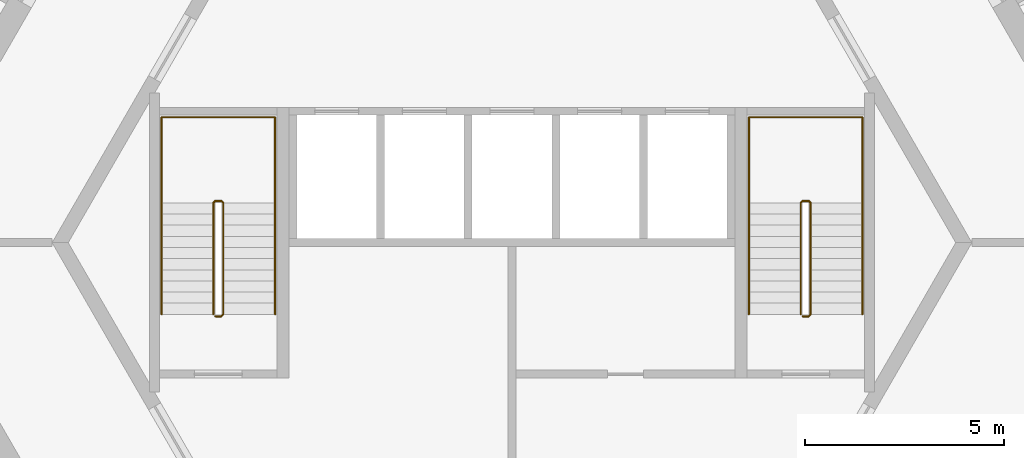
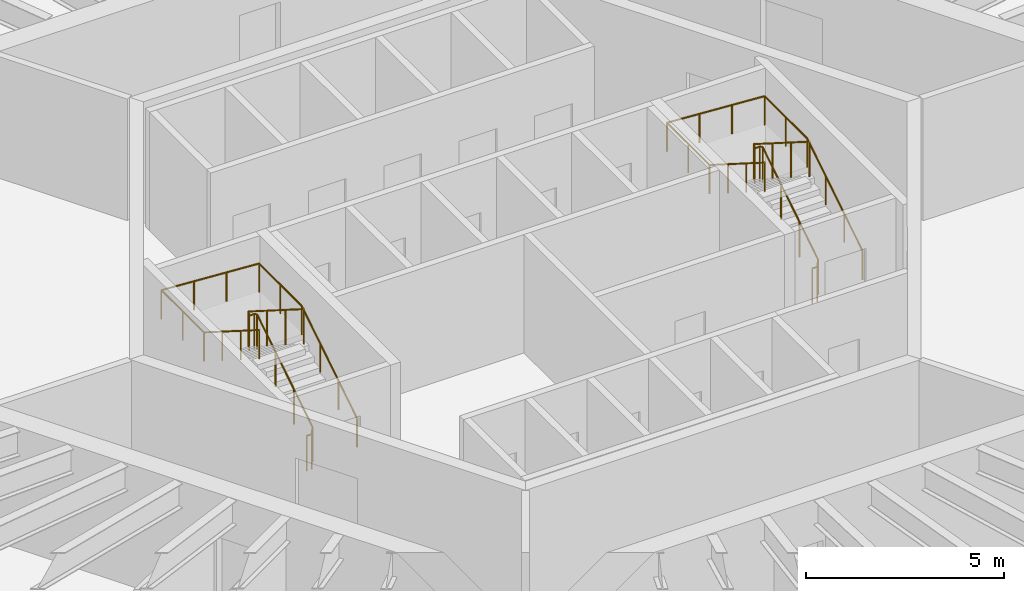
# One storey, part 12 of 12: 4 railings.
"""IFC4 building model written with IfcOpenShell, lengths in metres."""

from ifc_helpers import new_model, si_unit, direction, frame, origin, origin_2d, place, context, subcontext, project, spatial, circle, extrude, material, type_object, element, save


model = new_model("IFC4")

# Units and contexts
model_context = context("Model", 3, precision=1e-05, world=origin(), true_north=direction((0.0, 1.0)))
body_context = subcontext(model_context, "Body", "Model", "MODEL_VIEW")
ifc_project = project(units=[si_unit("LENGTHUNIT", "METRE"), si_unit("AREAUNIT", "SQUARE_METRE"), si_unit("VOLUMEUNIT", "CUBIC_METRE"), si_unit("PLANEANGLEUNIT", "RADIAN"), si_unit("MASSUNIT", "GRAM", prefix="KILO")], contexts=[model_context])

# Site, building, storey
site_placement = place(None, origin())
site = spatial("IfcSite", under=ifc_project, at=site_placement, CompositionType="ELEMENT")
building_placement = place(site_placement, origin())
building = spatial("IfcBuilding", under=site, at=building_placement, Name="Tarnside Tower", CompositionType="ELEMENT")
storey_placement = place(building_placement, frame((0.0, 0.0, 84.300048828125)))
storey = spatial("IfcBuildingStorey", under=building, at=storey_placement, Name="L18", CompositionType="ELEMENT", Elevation=84.300048828125)

# Railings
ifc_material = material(Name="Stainless steel", Category="steel")
railing_type_1 = type_object("IfcRailingType", Name="Stair guard 1100", PredefinedType="GUARDRAIL", material=ifc_material)
railing_1_placement = place(storey_placement, frame((7.300048828125, -1.85009765625, 0.0)))
element("IfcRailing", 1, at=railing_1_placement, inside=storey, type_object=railing_type_1, Name="L18 ST1 stair guard 1", PredefinedType="GUARDRAIL", context=body_context, shape_type="SweptSolid", body=[
    extrude(circle(Radius=0.02392578125, at=origin_2d()), frame((0.0, 0.0, 1.076171875), z_axis=(1.0, 0.0, 0.0), x_axis=(0.0, 1.0, 0.0)), (0.0, 0.0, 1.0), 0.14990234375),
    extrude(circle(Radius=0.02392578125, at=origin_2d()), frame((0.14990234375, 0.0, 1.076171875), z_axis=(0.262233686654, 0.262233686654, 0.928691007369), x_axis=(-0.707106781187, 0.707106781187, 0.0)), (0.0, 0.0, 1.0), 0.19091796875),
    extrude(circle(Radius=0.02392578125, at=origin_2d()), frame((0.199951171875, 0.050048828125, 1.25341796875), z_axis=(0.0, 0.844908973607, 0.534910110503), x_axis=(-1.0, 0.0, 0.0)), (0.0, 0.0, 1.0), 3.31396484375),
    extrude(circle(Radius=0.02392578125, at=origin_2d()), frame((0.199951171875, 2.85009765625, 3.02587890625), z_axis=(-0.707106781187, 0.707106781187, 0.0), x_axis=(-0.707106781187, -0.707106781187, 0.0)), (0.0, 0.0, 1.0), 0.07080078125),
    extrude(circle(Radius=0.02392578125, at=origin_2d()), frame((0.14990234375, 2.900146484375, 3.02587890625), z_axis=(-1.0, 0.0, 0.0), x_axis=(0.0, -1.0, 0.0)), (0.0, 0.0, 1.0), 0.14990234375),
    extrude(circle(Radius=0.02392578125, at=origin_2d()), frame((0.0, 2.900146484375, 3.02587890625), z_axis=(-0.262233686654, -0.262233686654, 0.928691007369), x_axis=(0.707106781187, -0.707106781187, 0.0)), (0.0, 0.0, 1.0), 0.19091796875),
    extrude(circle(Radius=0.02392578125, at=origin_2d()), frame((-0.050048828125, 2.85009765625, 3.203125), z_axis=(0.0, -0.844908973607, 0.534910110503), x_axis=(1.0, 0.0, 0.0)), (0.0, 0.0, 1.0), 3.31396484375),
    extrude(circle(Radius=0.02099609375, at=origin_2d()), origin(), (0.0, 0.0, 1.0), 1.052001953125),
    extrude(circle(Radius=0.02099609375, at=origin_2d()), frame((0.14990234375, 0.0, 0.0)), (0.0, 0.0, 1.0), 1.052001953125),
    extrude(circle(Radius=0.02099609375, at=origin_2d()), frame((0.199951171875, 0.050048828125, 0.17724609375)), (0.0, 0.0, 1.0), 1.052001953125),
    extrude(circle(Radius=0.02099609375, at=origin_2d()), frame((0.199951171875, 0.9833984375, 0.76806640625)), (0.0, 0.0, 1.0), 1.052001953125),
    extrude(circle(Radius=0.02099609375, at=origin_2d()), frame((0.199951171875, 1.916748046875, 1.359130859375)), (0.0, 0.0, 1.0), 1.052001953125),
    extrude(circle(Radius=0.02099609375, at=origin_2d()), frame((0.199951171875, 2.85009765625, 1.949951171875)), (0.0, 0.0, 1.0), 1.052001953125),
    extrude(circle(Radius=0.02099609375, at=origin_2d()), frame((0.14990234375, 2.900146484375, 1.949951171875)), (0.0, 0.0, 1.0), 1.052001953125),
    extrude(circle(Radius=0.02099609375, at=origin_2d()), frame((0.0, 2.900146484375, 1.949951171875)), (0.0, 0.0, 1.0), 1.052001953125),
    extrude(circle(Radius=0.02099609375, at=origin_2d()), frame((-0.050048828125, 2.85009765625, 2.127197265625)), (0.0, 0.0, 1.0), 1.052001953125),
    extrude(circle(Radius=0.02099609375, at=origin_2d()), frame((-0.050048828125, 1.916748046875, 2.718017578125)), (0.0, 0.0, 1.0), 1.052001953125),
    extrude(circle(Radius=0.02099609375, at=origin_2d()), frame((-0.050048828125, 0.9833984375, 3.30908203125)), (0.0, 0.0, 1.0), 1.052001953125),
    extrude(circle(Radius=0.02099609375, at=origin_2d()), frame((-0.050048828125, 0.050048828125, 3.89990234375)), (0.0, 0.0, 1.0), 1.052001953125),
])
railing_2_placement = place(storey_placement, frame((-7.449951171875, -1.85009765625, 0.0)))
element("IfcRailing", 2, at=railing_2_placement, inside=storey, type_object=railing_type_1, Name="L18 ST2 stair guard 1", PredefinedType="GUARDRAIL", context=body_context, shape_type="SweptSolid", body=[
    extrude(circle(Radius=0.02392578125, at=origin_2d()), frame((0.0, 0.0, 1.076171875), z_axis=(1.0, 0.0, 0.0), x_axis=(0.0, 1.0, 0.0)), (0.0, 0.0, 1.0), 0.14990234375),
    extrude(circle(Radius=0.02392578125, at=origin_2d()), frame((0.14990234375, 0.0, 1.076171875), z_axis=(0.262233686654, 0.262233686654, 0.928691007369), x_axis=(-0.707106781187, 0.707106781187, 0.0)), (0.0, 0.0, 1.0), 0.19091796875),
    extrude(circle(Radius=0.02392578125, at=origin_2d()), frame((0.199951171875, 0.050048828125, 1.25341796875), z_axis=(0.0, 0.844908973607, 0.534910110503), x_axis=(-1.0, 0.0, 0.0)), (0.0, 0.0, 1.0), 3.31396484375),
    extrude(circle(Radius=0.02392578125, at=origin_2d()), frame((0.199951171875, 2.85009765625, 3.02587890625), z_axis=(-0.707106781187, 0.707106781187, 0.0), x_axis=(-0.707106781187, -0.707106781187, 0.0)), (0.0, 0.0, 1.0), 0.07080078125),
    extrude(circle(Radius=0.02392578125, at=origin_2d()), frame((0.14990234375, 2.900146484375, 3.02587890625), z_axis=(-1.0, 0.0, 0.0), x_axis=(0.0, -1.0, 0.0)), (0.0, 0.0, 1.0), 0.14990234375),
    extrude(circle(Radius=0.02392578125, at=origin_2d()), frame((0.0, 2.900146484375, 3.02587890625), z_axis=(-0.262233686654, -0.262233686654, 0.928691007369), x_axis=(0.707106781187, -0.707106781187, 0.0)), (0.0, 0.0, 1.0), 0.19091796875),
    extrude(circle(Radius=0.02392578125, at=origin_2d()), frame((-0.050048828125, 2.85009765625, 3.203125), z_axis=(0.0, -0.844908973607, 0.534910110503), x_axis=(1.0, 0.0, 0.0)), (0.0, 0.0, 1.0), 3.31396484375),
    extrude(circle(Radius=0.02099609375, at=origin_2d()), origin(), (0.0, 0.0, 1.0), 1.052001953125),
    extrude(circle(Radius=0.02099609375, at=origin_2d()), frame((0.14990234375, 0.0, 0.0)), (0.0, 0.0, 1.0), 1.052001953125),
    extrude(circle(Radius=0.02099609375, at=origin_2d()), frame((0.199951171875, 0.050048828125, 0.17724609375)), (0.0, 0.0, 1.0), 1.052001953125),
    extrude(circle(Radius=0.02099609375, at=origin_2d()), frame((0.199951171875, 0.9833984375, 0.76806640625)), (0.0, 0.0, 1.0), 1.052001953125),
    extrude(circle(Radius=0.02099609375, at=origin_2d()), frame((0.199951171875, 1.916748046875, 1.359130859375)), (0.0, 0.0, 1.0), 1.052001953125),
    extrude(circle(Radius=0.02099609375, at=origin_2d()), frame((0.199951171875, 2.85009765625, 1.949951171875)), (0.0, 0.0, 1.0), 1.052001953125),
    extrude(circle(Radius=0.02099609375, at=origin_2d()), frame((0.14990234375, 2.900146484375, 1.949951171875)), (0.0, 0.0, 1.0), 1.052001953125),
    extrude(circle(Radius=0.02099609375, at=origin_2d()), frame((0.0, 2.900146484375, 1.949951171875)), (0.0, 0.0, 1.0), 1.052001953125),
    extrude(circle(Radius=0.02099609375, at=origin_2d()), frame((-0.050048828125, 2.85009765625, 2.127197265625)), (0.0, 0.0, 1.0), 1.052001953125),
    extrude(circle(Radius=0.02099609375, at=origin_2d()), frame((-0.050048828125, 1.916748046875, 2.718017578125)), (0.0, 0.0, 1.0), 1.052001953125),
    extrude(circle(Radius=0.02099609375, at=origin_2d()), frame((-0.050048828125, 0.9833984375, 3.30908203125)), (0.0, 0.0, 1.0), 1.052001953125),
    extrude(circle(Radius=0.02099609375, at=origin_2d()), frame((-0.050048828125, 0.050048828125, 3.89990234375)), (0.0, 0.0, 1.0), 1.052001953125),
])
railing_type_2 = type_object("IfcRailingType", Name="Stair handrail 900", PredefinedType="HANDRAIL", material=ifc_material)
railing_3_placement = place(storey_placement, frame((8.800048828125, -1.800048828125, 0.17724609375)))
element("IfcRailing", 3, at=railing_3_placement, inside=storey, type_object=railing_type_2, Name="L18 ST1 stair handrail 1", PredefinedType="HANDRAIL", context=body_context, shape_type="SweptSolid", body=[
    extrude(circle(Radius=0.02392578125, at=origin_2d()), frame((0.0, 0.0, 0.8857421875), z_axis=(0.0, 0.844908973607, 0.534910110503), x_axis=(-1.0, 0.0, 0.0)), (0.0, 0.0, 1.0), 3.31396484375),
    extrude(circle(Radius=0.02392578125, at=origin_2d()), frame((0.0, 2.800048828125, 2.65869140625), z_axis=(0.0, 1.0, 0.0), x_axis=(-1.0, 0.0, 0.0)), (0.0, 0.0, 1.0), 2.14990234375),
    extrude(circle(Radius=0.02392578125, at=origin_2d()), frame((0.0, 4.949951171875, 2.65869140625), z_axis=(-0.998071825391, 0.0, 0.06206956872), x_axis=(0.0, -1.0, 0.0)), (0.0, 0.0, 1.0), 2.855712890625),
    extrude(circle(Radius=0.02392578125, at=origin_2d()), frame((-2.85009765625, 4.949951171875, 2.8359375), z_axis=(0.0, -1.0, 0.0), x_axis=(1.0, 0.0, 0.0)), (0.0, 0.0, 1.0), 2.14990234375),
    extrude(circle(Radius=0.02392578125, at=origin_2d()), frame((-2.85009765625, 2.800048828125, 2.8359375), z_axis=(0.0, -0.844908973607, 0.534910110503), x_axis=(1.0, 0.0, 0.0)), (0.0, 0.0, 1.0), 3.31396484375),
    extrude(circle(Radius=0.02099609375, at=origin_2d()), origin(), (0.0, 0.0, 1.0), 0.86181640625),
    extrude(circle(Radius=0.02099609375, at=origin_2d()), frame((0.0, 0.933349609375, 0.5908203125)), (0.0, 0.0, 1.0), 0.86181640625),
    extrude(circle(Radius=0.02099609375, at=origin_2d()), frame((0.0, 1.86669921875, 1.181884765625)), (0.0, 0.0, 1.0), 0.86181640625),
    extrude(circle(Radius=0.02099609375, at=origin_2d()), frame((0.0, 2.800048828125, 1.772705078125)), (0.0, 0.0, 1.0), 0.86181640625),
    extrude(circle(Radius=0.02099609375, at=origin_2d()), frame((0.0, 3.875, 1.772705078125)), (0.0, 0.0, 1.0), 0.86181640625),
    extrude(circle(Radius=0.02099609375, at=origin_2d()), frame((0.0, 4.949951171875, 1.772705078125)), (0.0, 0.0, 1.0), 0.86181640625),
    extrude(circle(Radius=0.02099609375, at=origin_2d()), frame((-0.949951171875, 4.949951171875, 1.831787109375)), (0.0, 0.0, 1.0), 0.86181640625),
    extrude(circle(Radius=0.02099609375, at=origin_2d()), frame((-1.900146484375, 4.949951171875, 1.890869140625)), (0.0, 0.0, 1.0), 0.86181640625),
    extrude(circle(Radius=0.02099609375, at=origin_2d()), frame((-2.85009765625, 4.949951171875, 1.949951171875)), (0.0, 0.0, 1.0), 0.86181640625),
    extrude(circle(Radius=0.02099609375, at=origin_2d()), frame((-2.85009765625, 3.875, 1.949951171875)), (0.0, 0.0, 1.0), 0.86181640625),
    extrude(circle(Radius=0.02099609375, at=origin_2d()), frame((-2.85009765625, 2.800048828125, 1.949951171875)), (0.0, 0.0, 1.0), 0.86181640625),
    extrude(circle(Radius=0.02099609375, at=origin_2d()), frame((-2.85009765625, 1.86669921875, 2.540771484375)), (0.0, 0.0, 1.0), 0.86181640625),
    extrude(circle(Radius=0.02099609375, at=origin_2d()), frame((-2.85009765625, 0.933349609375, 3.1318359375)), (0.0, 0.0, 1.0), 0.86181640625),
    extrude(circle(Radius=0.02099609375, at=origin_2d()), frame((-2.85009765625, 0.0, 3.72265625)), (0.0, 0.0, 1.0), 0.86181640625),
])
railing_4_placement = place(storey_placement, frame((-5.949951171875, -1.800048828125, 0.17724609375)))
element("IfcRailing", 4, at=railing_4_placement, inside=storey, type_object=railing_type_2, Name="L18 ST2 stair handrail 1", PredefinedType="HANDRAIL", context=body_context, shape_type="SweptSolid", body=[
    extrude(circle(Radius=0.02392578125, at=origin_2d()), frame((0.0, 0.0, 0.8857421875), z_axis=(0.0, 0.844908973607, 0.534910110503), x_axis=(-1.0, 0.0, 0.0)), (0.0, 0.0, 1.0), 3.31396484375),
    extrude(circle(Radius=0.02392578125, at=origin_2d()), frame((0.0, 2.800048828125, 2.65869140625), z_axis=(0.0, 1.0, 0.0), x_axis=(-1.0, 0.0, 0.0)), (0.0, 0.0, 1.0), 2.14990234375),
    extrude(circle(Radius=0.02392578125, at=origin_2d()), frame((0.0, 4.949951171875, 2.65869140625), z_axis=(-0.998071825391, 0.0, 0.06206956872), x_axis=(0.0, -1.0, 0.0)), (0.0, 0.0, 1.0), 2.855712890625),
    extrude(circle(Radius=0.02392578125, at=origin_2d()), frame((-2.85009765625, 4.949951171875, 2.8359375), z_axis=(0.0, -1.0, 0.0), x_axis=(1.0, 0.0, 0.0)), (0.0, 0.0, 1.0), 2.14990234375),
    extrude(circle(Radius=0.02392578125, at=origin_2d()), frame((-2.85009765625, 2.800048828125, 2.8359375), z_axis=(0.0, -0.844908973607, 0.534910110503), x_axis=(1.0, 0.0, 0.0)), (0.0, 0.0, 1.0), 3.31396484375),
    extrude(circle(Radius=0.02099609375, at=origin_2d()), origin(), (0.0, 0.0, 1.0), 0.86181640625),
    extrude(circle(Radius=0.02099609375, at=origin_2d()), frame((0.0, 0.933349609375, 0.5908203125)), (0.0, 0.0, 1.0), 0.86181640625),
    extrude(circle(Radius=0.02099609375, at=origin_2d()), frame((0.0, 1.86669921875, 1.181884765625)), (0.0, 0.0, 1.0), 0.86181640625),
    extrude(circle(Radius=0.02099609375, at=origin_2d()), frame((0.0, 2.800048828125, 1.772705078125)), (0.0, 0.0, 1.0), 0.86181640625),
    extrude(circle(Radius=0.02099609375, at=origin_2d()), frame((0.0, 3.875, 1.772705078125)), (0.0, 0.0, 1.0), 0.86181640625),
    extrude(circle(Radius=0.02099609375, at=origin_2d()), frame((0.0, 4.949951171875, 1.772705078125)), (0.0, 0.0, 1.0), 0.86181640625),
    extrude(circle(Radius=0.02099609375, at=origin_2d()), frame((-0.949951171875, 4.949951171875, 1.831787109375)), (0.0, 0.0, 1.0), 0.86181640625),
    extrude(circle(Radius=0.02099609375, at=origin_2d()), frame((-1.900146484375, 4.949951171875, 1.890869140625)), (0.0, 0.0, 1.0), 0.86181640625),
    extrude(circle(Radius=0.02099609375, at=origin_2d()), frame((-2.85009765625, 4.949951171875, 1.949951171875)), (0.0, 0.0, 1.0), 0.86181640625),
    extrude(circle(Radius=0.02099609375, at=origin_2d()), frame((-2.85009765625, 3.875, 1.949951171875)), (0.0, 0.0, 1.0), 0.86181640625),
    extrude(circle(Radius=0.02099609375, at=origin_2d()), frame((-2.85009765625, 2.800048828125, 1.949951171875)), (0.0, 0.0, 1.0), 0.86181640625),
    extrude(circle(Radius=0.02099609375, at=origin_2d()), frame((-2.85009765625, 1.86669921875, 2.540771484375)), (0.0, 0.0, 1.0), 0.86181640625),
    extrude(circle(Radius=0.02099609375, at=origin_2d()), frame((-2.85009765625, 0.933349609375, 3.1318359375)), (0.0, 0.0, 1.0), 0.86181640625),
    extrude(circle(Radius=0.02099609375, at=origin_2d()), frame((-2.85009765625, 0.0, 3.72265625)), (0.0, 0.0, 1.0), 0.86181640625),
])

save(model, "model.ifc")
